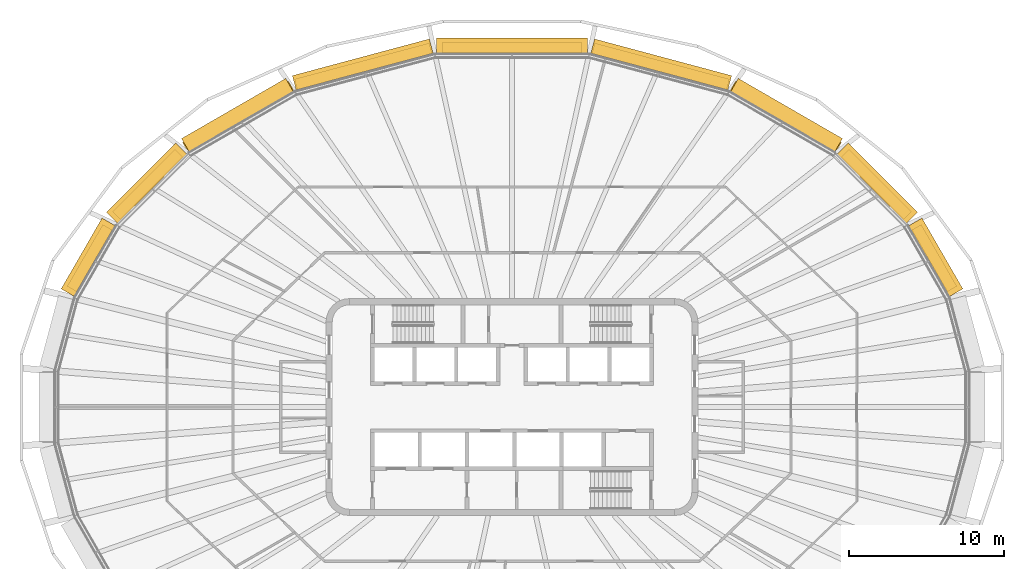
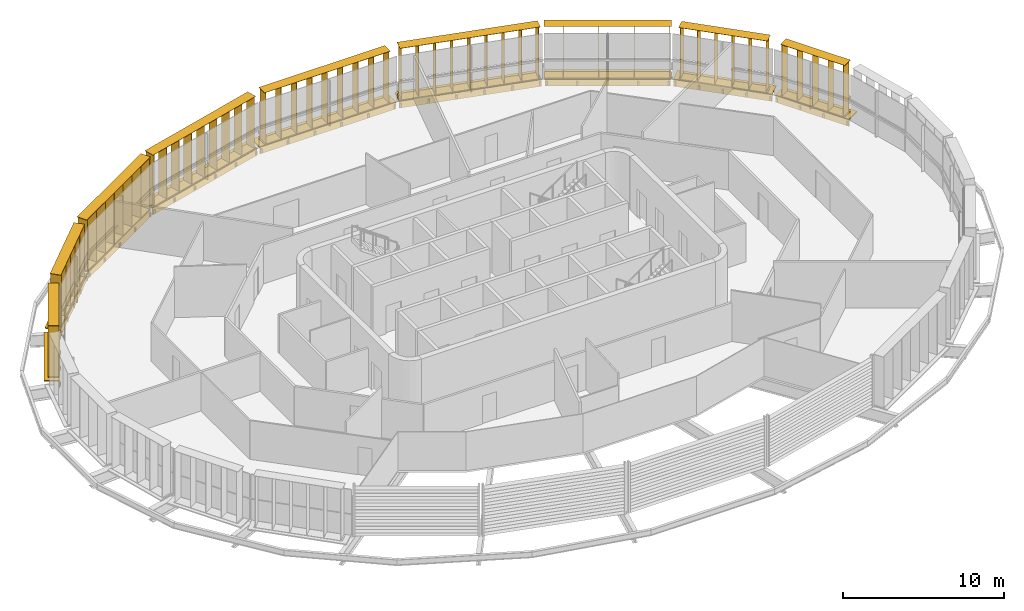
# One storey, part 19 of 19: 18 shading devices.
"""IFC4 building model written with IfcOpenShell, lengths in metres."""

from ifc_helpers import new_model, si_unit, direction, frame, origin, origin_2d, place, context, subcontext, project, spatial, rectangle, extrude, material, type_object, element, save


model = new_model("IFC4")

# Units and contexts
model_context = context("Model", 3, precision=1e-05, world=origin(), true_north=direction((0.0, 1.0)))
body_context = subcontext(model_context, "Body", "Model", "MODEL_VIEW")
ifc_project = project(units=[si_unit("LENGTHUNIT", "METRE"), si_unit("AREAUNIT", "SQUARE_METRE"), si_unit("VOLUMEUNIT", "CUBIC_METRE"), si_unit("PLANEANGLEUNIT", "RADIAN"), si_unit("MASSUNIT", "GRAM", prefix="KILO")], contexts=[model_context])

# Site, building, storey
site_placement = place(None, origin())
site = spatial("IfcSite", under=ifc_project, at=site_placement, CompositionType="ELEMENT")
building_placement = place(site_placement, origin())
building = spatial("IfcBuilding", under=site, at=building_placement, Name="Sahrelin Media Tower", CompositionType="ELEMENT")
storey_placement = place(building_placement, frame((0.0, 0.0, 275.0)))
storey = spatial("IfcBuildingStorey", under=building, at=storey_placement, Name="L60", CompositionType="ELEMENT", Elevation=275.0)

# Shading devices
ifc_material = material(Name="Champagne anodised aluminium 6063-T6", Category="aluminium")
shading_device_type_1 = type_object("IfcShadingDeviceType", Name="Fin cassette", PredefinedType="USERDEFINED", material=ifc_material)
placement_1 = place(storey_placement, frame((26.886962890625, 9.400146484375, 0.0), z_axis=(0.0, 0.0, 1.0), x_axis=(0.500011000363, -0.866019052629, 0.0)))
element("IfcShadingDevice", 1, at=placement_1, inside=storey, type_object=shading_device_type_1, Name="L60:FIN:L60-02", ObjectType="FIN", PredefinedType="USERDEFINED", context=body_context, shape_type="SweptSolid", body=[
    extrude(rectangle(XDim=4.60009765625, YDim=0.699951171875, at=origin_2d()), frame((0.0, 0.419921875, 0.0)), (0.0, 0.0, 1.0), 0.02001953125),
    extrude(rectangle(XDim=4.60009765625, YDim=0.699951171875, at=origin_2d()), frame((0.0, 0.419921875, 3.89990234375)), (0.0, 0.0, 1.0), 0.02001953125),
    extrude(rectangle(XDim=0.02001953125, YDim=0.699951171875, at=origin_2d()), frame((-2.199951171875, 0.419921875, 0.010009765625), z_axis=(0.0, 0.0, 1.0), x_axis=(1.0, 0.0, 0.0)), (0.0, 0.0, 1.0), 3.89990234375),
    extrude(rectangle(XDim=0.02001953125, YDim=0.699951171875, at=origin_2d()), frame((-1.10009765625, 0.419921875, 0.010009765625), z_axis=(0.0, 0.0, 1.0), x_axis=(1.0, 0.0, 0.0)), (0.0, 0.0, 1.0), 3.89990234375),
    extrude(rectangle(XDim=0.02001953125, YDim=0.699951171875, at=origin_2d()), frame((0.0, 0.419921875, 0.010009765625), z_axis=(0.0, 0.0, 1.0), x_axis=(1.0, 0.0, 0.0)), (0.0, 0.0, 1.0), 3.89990234375),
    extrude(rectangle(XDim=0.02001953125, YDim=0.699951171875, at=origin_2d()), frame((1.10009765625, 0.419921875, 0.010009765625), z_axis=(0.0, 0.0, 1.0), x_axis=(1.0, 0.0, 0.0)), (0.0, 0.0, 1.0), 3.89990234375),
    extrude(rectangle(XDim=0.02001953125, YDim=0.699951171875, at=origin_2d()), frame((2.199951171875, 0.419921875, 0.010009765625), z_axis=(0.0, 0.0, 1.0), x_axis=(1.0, 0.0, 0.0)), (0.0, 0.0, 1.0), 3.89990234375),
])
placement_2 = place(storey_placement, frame((23.20849609375, 14.080322265625, 0.0), z_axis=(0.0, 0.0, 1.0), x_axis=(0.707106781187, -0.707106781187, 0.0)))
element("IfcShadingDevice", 2, at=placement_2, inside=storey, type_object=shading_device_type_1, Name="L60:FIN:L60-03", ObjectType="FIN", PredefinedType="USERDEFINED", context=body_context, shape_type="SweptSolid", body=[
    extrude(rectangle(XDim=5.699951171875, YDim=0.699951171875, at=origin_2d()), frame((0.0, 0.419921875, 0.0)), (0.0, 0.0, 1.0), 0.02001953125),
    extrude(rectangle(XDim=5.699951171875, YDim=0.699951171875, at=origin_2d()), frame((0.0, 0.419921875, 3.89990234375)), (0.0, 0.0, 1.0), 0.02001953125),
    extrude(rectangle(XDim=0.02001953125, YDim=0.699951171875, at=origin_2d()), frame((-2.75, 0.419921875, 0.010009765625), z_axis=(0.0, 0.0, 1.0), x_axis=(1.0, 0.0, 0.0)), (0.0, 0.0, 1.0), 3.89990234375),
    extrude(rectangle(XDim=0.02001953125, YDim=0.699951171875, at=origin_2d()), frame((-1.64990234375, 0.419921875, 0.010009765625), z_axis=(0.0, 0.0, 1.0), x_axis=(1.0, 0.0, 0.0)), (0.0, 0.0, 1.0), 3.89990234375),
    extrude(rectangle(XDim=0.02001953125, YDim=0.699951171875, at=origin_2d()), frame((-0.550048828125, 0.419921875, 0.010009765625), z_axis=(0.0, 0.0, 1.0), x_axis=(1.0, 0.0, 0.0)), (0.0, 0.0, 1.0), 3.89990234375),
    extrude(rectangle(XDim=0.02001953125, YDim=0.699951171875, at=origin_2d()), frame((0.550048828125, 0.419921875, 0.010009765625), z_axis=(0.0, 0.0, 1.0), x_axis=(1.0, 0.0, 0.0)), (0.0, 0.0, 1.0), 3.89990234375),
    extrude(rectangle(XDim=0.02001953125, YDim=0.699951171875, at=origin_2d()), frame((1.64990234375, 0.419921875, 0.010009765625), z_axis=(0.0, 0.0, 1.0), x_axis=(1.0, 0.0, 0.0)), (0.0, 0.0, 1.0), 3.89990234375),
    extrude(rectangle(XDim=0.02001953125, YDim=0.699951171875, at=origin_2d()), frame((2.75, 0.419921875, 0.010009765625), z_axis=(0.0, 0.0, 1.0), x_axis=(1.0, 0.0, 0.0)), (0.0, 0.0, 1.0), 3.89990234375),
])
placement_3 = place(storey_placement, frame((17.451416015625, 18.380615234375, 0.0), z_axis=(0.0, 0.0, 1.0), x_axis=(0.866019052629, -0.500011000363, 0.0)))
element("IfcShadingDevice", 3, at=placement_3, inside=storey, type_object=shading_device_type_1, Name="L60:FIN:L60-04", ObjectType="FIN", PredefinedType="USERDEFINED", context=body_context, shape_type="SweptSolid", body=[
    extrude(rectangle(XDim=7.89990234375, YDim=0.699951171875, at=origin_2d()), frame((0.0, 0.419921875, 0.0)), (0.0, 0.0, 1.0), 0.02001953125),
    extrude(rectangle(XDim=7.89990234375, YDim=0.699951171875, at=origin_2d()), frame((0.0, 0.419921875, 3.89990234375)), (0.0, 0.0, 1.0), 0.02001953125),
    extrude(rectangle(XDim=0.02001953125, YDim=0.699951171875, at=origin_2d()), frame((-3.85009765625, 0.419921875, 0.010009765625), z_axis=(0.0, 0.0, 1.0), x_axis=(1.0, 0.0, 0.0)), (0.0, 0.0, 1.0), 3.89990234375),
    extrude(rectangle(XDim=0.02001953125, YDim=0.699951171875, at=origin_2d()), frame((-2.75, 0.419921875, 0.010009765625), z_axis=(0.0, 0.0, 1.0), x_axis=(1.0, 0.0, 0.0)), (0.0, 0.0, 1.0), 3.89990234375),
    extrude(rectangle(XDim=0.02001953125, YDim=0.699951171875, at=origin_2d()), frame((-1.64990234375, 0.419921875, 0.010009765625), z_axis=(0.0, 0.0, 1.0), x_axis=(1.0, 0.0, 0.0)), (0.0, 0.0, 1.0), 3.89990234375),
    extrude(rectangle(XDim=0.02001953125, YDim=0.699951171875, at=origin_2d()), frame((-0.550048828125, 0.419921875, 0.010009765625), z_axis=(0.0, 0.0, 1.0), x_axis=(1.0, 0.0, 0.0)), (0.0, 0.0, 1.0), 3.89990234375),
    extrude(rectangle(XDim=0.02001953125, YDim=0.699951171875, at=origin_2d()), frame((0.550048828125, 0.419921875, 0.010009765625), z_axis=(0.0, 0.0, 1.0), x_axis=(1.0, 0.0, 0.0)), (0.0, 0.0, 1.0), 3.89990234375),
    extrude(rectangle(XDim=0.02001953125, YDim=0.699951171875, at=origin_2d()), frame((1.64990234375, 0.419921875, 0.010009765625), z_axis=(0.0, 0.0, 1.0), x_axis=(1.0, 0.0, 0.0)), (0.0, 0.0, 1.0), 3.89990234375),
    extrude(rectangle(XDim=0.02001953125, YDim=0.699951171875, at=origin_2d()), frame((2.75, 0.419921875, 0.010009765625), z_axis=(0.0, 0.0, 1.0), x_axis=(1.0, 0.0, 0.0)), (0.0, 0.0, 1.0), 3.89990234375),
    extrude(rectangle(XDim=0.02001953125, YDim=0.699951171875, at=origin_2d()), frame((3.85009765625, 0.419921875, 0.010009765625), z_axis=(0.0, 0.0, 1.0), x_axis=(1.0, 0.0, 0.0)), (0.0, 0.0, 1.0), 3.89990234375),
])
placement_4 = place(storey_placement, frame((9.489501953125, 21.58056640625, 0.0), z_axis=(0.0, 0.0, 1.0), x_axis=(0.965928857556, -0.258807731996, 0.0)))
element("IfcShadingDevice", 4, at=placement_4, inside=storey, type_object=shading_device_type_1, Name="L60:FIN:L60-05", ObjectType="FIN", PredefinedType="USERDEFINED", context=body_context, shape_type="SweptSolid", body=[
    extrude(rectangle(XDim=9.0, YDim=0.699951171875, at=origin_2d()), frame((0.0, 0.419921875, 0.0)), (0.0, 0.0, 1.0), 0.02001953125),
    extrude(rectangle(XDim=9.0, YDim=0.699951171875, at=origin_2d()), frame((0.0, 0.419921875, 3.89990234375)), (0.0, 0.0, 1.0), 0.02001953125),
    extrude(rectangle(XDim=0.02001953125, YDim=0.699951171875, at=origin_2d()), frame((-4.39990234375, 0.419921875, 0.010009765625), z_axis=(0.0, 0.0, 1.0), x_axis=(1.0, 0.0, 0.0)), (0.0, 0.0, 1.0), 3.89990234375),
    extrude(rectangle(XDim=0.02001953125, YDim=0.699951171875, at=origin_2d()), frame((-3.300048828125, 0.419921875, 0.010009765625), z_axis=(0.0, 0.0, 1.0), x_axis=(1.0, 0.0, 0.0)), (0.0, 0.0, 1.0), 3.89990234375),
    extrude(rectangle(XDim=0.02001953125, YDim=0.699951171875, at=origin_2d()), frame((-2.199951171875, 0.419921875, 0.010009765625), z_axis=(0.0, 0.0, 1.0), x_axis=(1.0, 0.0, 0.0)), (0.0, 0.0, 1.0), 3.89990234375),
    extrude(rectangle(XDim=0.02001953125, YDim=0.699951171875, at=origin_2d()), frame((-1.10009765625, 0.419921875, 0.010009765625), z_axis=(0.0, 0.0, 1.0), x_axis=(1.0, 0.0, 0.0)), (0.0, 0.0, 1.0), 3.89990234375),
    extrude(rectangle(XDim=0.02001953125, YDim=0.699951171875, at=origin_2d()), frame((0.0, 0.419921875, 0.010009765625), z_axis=(0.0, 0.0, 1.0), x_axis=(1.0, 0.0, 0.0)), (0.0, 0.0, 1.0), 3.89990234375),
    extrude(rectangle(XDim=0.02001953125, YDim=0.699951171875, at=origin_2d()), frame((1.10009765625, 0.419921875, 0.010009765625), z_axis=(0.0, 0.0, 1.0), x_axis=(1.0, 0.0, 0.0)), (0.0, 0.0, 1.0), 3.89990234375),
    extrude(rectangle(XDim=0.02001953125, YDim=0.699951171875, at=origin_2d()), frame((2.199951171875, 0.419921875, 0.010009765625), z_axis=(0.0, 0.0, 1.0), x_axis=(1.0, 0.0, 0.0)), (0.0, 0.0, 1.0), 3.89990234375),
    extrude(rectangle(XDim=0.02001953125, YDim=0.699951171875, at=origin_2d()), frame((3.300048828125, 0.419921875, 0.010009765625), z_axis=(0.0, 0.0, 1.0), x_axis=(1.0, 0.0, 0.0)), (0.0, 0.0, 1.0), 3.89990234375),
    extrude(rectangle(XDim=0.02001953125, YDim=0.699951171875, at=origin_2d()), frame((4.39990234375, 0.419921875, 0.010009765625), z_axis=(0.0, 0.0, 1.0), x_axis=(1.0, 0.0, 0.0)), (0.0, 0.0, 1.0), 3.89990234375),
])
placement_5 = place(storey_placement, frame((0.0, 22.790283203125, 0.0), z_axis=(0.0, 0.0, 1.0), x_axis=(1.0, 0.0, 0.0)))
element("IfcShadingDevice", 5, at=placement_5, inside=storey, type_object=shading_device_type_1, Name="L60:FIN:L60-06", ObjectType="FIN", PredefinedType="USERDEFINED", context=body_context, shape_type="SweptSolid", body=[
    extrude(rectangle(XDim=9.0, YDim=0.699951171875, at=origin_2d()), frame((0.0, 0.419921875, 0.0)), (0.0, 0.0, 1.0), 0.02001953125),
    extrude(rectangle(XDim=9.0, YDim=0.699951171875, at=origin_2d()), frame((0.0, 0.419921875, 3.89990234375)), (0.0, 0.0, 1.0), 0.02001953125),
    extrude(rectangle(XDim=0.02001953125, YDim=0.699951171875, at=origin_2d()), frame((-4.39990234375, 0.419921875, 0.010009765625), z_axis=(0.0, 0.0, 1.0), x_axis=(1.0, 0.0, 0.0)), (0.0, 0.0, 1.0), 3.89990234375),
    extrude(rectangle(XDim=0.02001953125, YDim=0.699951171875, at=origin_2d()), frame((-3.300048828125, 0.419921875, 0.010009765625), z_axis=(0.0, 0.0, 1.0), x_axis=(1.0, 0.0, 0.0)), (0.0, 0.0, 1.0), 3.89990234375),
    extrude(rectangle(XDim=0.02001953125, YDim=0.699951171875, at=origin_2d()), frame((-2.199951171875, 0.419921875, 0.010009765625), z_axis=(0.0, 0.0, 1.0), x_axis=(1.0, 0.0, 0.0)), (0.0, 0.0, 1.0), 3.89990234375),
    extrude(rectangle(XDim=0.02001953125, YDim=0.699951171875, at=origin_2d()), frame((-1.10009765625, 0.419921875, 0.010009765625), z_axis=(0.0, 0.0, 1.0), x_axis=(1.0, 0.0, 0.0)), (0.0, 0.0, 1.0), 3.89990234375),
    extrude(rectangle(XDim=0.02001953125, YDim=0.699951171875, at=origin_2d()), frame((0.0, 0.419921875, 0.010009765625), z_axis=(0.0, 0.0, 1.0), x_axis=(1.0, 0.0, 0.0)), (0.0, 0.0, 1.0), 3.89990234375),
    extrude(rectangle(XDim=0.02001953125, YDim=0.699951171875, at=origin_2d()), frame((1.10009765625, 0.419921875, 0.010009765625), z_axis=(0.0, 0.0, 1.0), x_axis=(1.0, 0.0, 0.0)), (0.0, 0.0, 1.0), 3.89990234375),
    extrude(rectangle(XDim=0.02001953125, YDim=0.699951171875, at=origin_2d()), frame((2.199951171875, 0.419921875, 0.010009765625), z_axis=(0.0, 0.0, 1.0), x_axis=(1.0, 0.0, 0.0)), (0.0, 0.0, 1.0), 3.89990234375),
    extrude(rectangle(XDim=0.02001953125, YDim=0.699951171875, at=origin_2d()), frame((3.300048828125, 0.419921875, 0.010009765625), z_axis=(0.0, 0.0, 1.0), x_axis=(1.0, 0.0, 0.0)), (0.0, 0.0, 1.0), 3.89990234375),
    extrude(rectangle(XDim=0.02001953125, YDim=0.699951171875, at=origin_2d()), frame((4.39990234375, 0.419921875, 0.010009765625), z_axis=(0.0, 0.0, 1.0), x_axis=(1.0, 0.0, 0.0)), (0.0, 0.0, 1.0), 3.89990234375),
])
placement_6 = place(storey_placement, frame((-9.489501953125, 21.58056640625, 0.0), z_axis=(0.0, 0.0, 1.0), x_axis=(0.965928857556, 0.258807731996, 0.0)))
element("IfcShadingDevice", 6, at=placement_6, inside=storey, type_object=shading_device_type_1, Name="L60:FIN:L60-07", ObjectType="FIN", PredefinedType="USERDEFINED", context=body_context, shape_type="SweptSolid", body=[
    extrude(rectangle(XDim=9.0, YDim=0.699951171875, at=origin_2d()), frame((0.0, 0.419921875, 0.0)), (0.0, 0.0, 1.0), 0.02001953125),
    extrude(rectangle(XDim=9.0, YDim=0.699951171875, at=origin_2d()), frame((0.0, 0.419921875, 3.89990234375)), (0.0, 0.0, 1.0), 0.02001953125),
    extrude(rectangle(XDim=0.02001953125, YDim=0.699951171875, at=origin_2d()), frame((-4.39990234375, 0.419921875, 0.010009765625), z_axis=(0.0, 0.0, 1.0), x_axis=(1.0, 0.0, 0.0)), (0.0, 0.0, 1.0), 3.89990234375),
    extrude(rectangle(XDim=0.02001953125, YDim=0.699951171875, at=origin_2d()), frame((-3.300048828125, 0.419921875, 0.010009765625), z_axis=(0.0, 0.0, 1.0), x_axis=(1.0, 0.0, 0.0)), (0.0, 0.0, 1.0), 3.89990234375),
    extrude(rectangle(XDim=0.02001953125, YDim=0.699951171875, at=origin_2d()), frame((-2.199951171875, 0.419921875, 0.010009765625), z_axis=(0.0, 0.0, 1.0), x_axis=(1.0, 0.0, 0.0)), (0.0, 0.0, 1.0), 3.89990234375),
    extrude(rectangle(XDim=0.02001953125, YDim=0.699951171875, at=origin_2d()), frame((-1.10009765625, 0.419921875, 0.010009765625), z_axis=(0.0, 0.0, 1.0), x_axis=(1.0, 0.0, 0.0)), (0.0, 0.0, 1.0), 3.89990234375),
    extrude(rectangle(XDim=0.02001953125, YDim=0.699951171875, at=origin_2d()), frame((0.0, 0.419921875, 0.010009765625), z_axis=(0.0, 0.0, 1.0), x_axis=(1.0, 0.0, 0.0)), (0.0, 0.0, 1.0), 3.89990234375),
    extrude(rectangle(XDim=0.02001953125, YDim=0.699951171875, at=origin_2d()), frame((1.10009765625, 0.419921875, 0.010009765625), z_axis=(0.0, 0.0, 1.0), x_axis=(1.0, 0.0, 0.0)), (0.0, 0.0, 1.0), 3.89990234375),
    extrude(rectangle(XDim=0.02001953125, YDim=0.699951171875, at=origin_2d()), frame((2.199951171875, 0.419921875, 0.010009765625), z_axis=(0.0, 0.0, 1.0), x_axis=(1.0, 0.0, 0.0)), (0.0, 0.0, 1.0), 3.89990234375),
    extrude(rectangle(XDim=0.02001953125, YDim=0.699951171875, at=origin_2d()), frame((3.300048828125, 0.419921875, 0.010009765625), z_axis=(0.0, 0.0, 1.0), x_axis=(1.0, 0.0, 0.0)), (0.0, 0.0, 1.0), 3.89990234375),
    extrude(rectangle(XDim=0.02001953125, YDim=0.699951171875, at=origin_2d()), frame((4.39990234375, 0.419921875, 0.010009765625), z_axis=(0.0, 0.0, 1.0), x_axis=(1.0, 0.0, 0.0)), (0.0, 0.0, 1.0), 3.89990234375),
])
placement_7 = place(storey_placement, frame((-17.451416015625, 18.380615234375, 0.0), z_axis=(0.0, 0.0, 1.0), x_axis=(0.866019052629, 0.500011000363, 0.0)))
element("IfcShadingDevice", 7, at=placement_7, inside=storey, type_object=shading_device_type_1, Name="L60:FIN:L60-08", ObjectType="FIN", PredefinedType="USERDEFINED", context=body_context, shape_type="SweptSolid", body=[
    extrude(rectangle(XDim=7.89990234375, YDim=0.699951171875, at=origin_2d()), frame((0.0, 0.419921875, 0.0)), (0.0, 0.0, 1.0), 0.02001953125),
    extrude(rectangle(XDim=7.89990234375, YDim=0.699951171875, at=origin_2d()), frame((0.0, 0.419921875, 3.89990234375)), (0.0, 0.0, 1.0), 0.02001953125),
    extrude(rectangle(XDim=0.02001953125, YDim=0.699951171875, at=origin_2d()), frame((-3.85009765625, 0.419921875, 0.010009765625), z_axis=(0.0, 0.0, 1.0), x_axis=(1.0, 0.0, 0.0)), (0.0, 0.0, 1.0), 3.89990234375),
    extrude(rectangle(XDim=0.02001953125, YDim=0.699951171875, at=origin_2d()), frame((-2.75, 0.419921875, 0.010009765625), z_axis=(0.0, 0.0, 1.0), x_axis=(1.0, 0.0, 0.0)), (0.0, 0.0, 1.0), 3.89990234375),
    extrude(rectangle(XDim=0.02001953125, YDim=0.699951171875, at=origin_2d()), frame((-1.64990234375, 0.419921875, 0.010009765625), z_axis=(0.0, 0.0, 1.0), x_axis=(1.0, 0.0, 0.0)), (0.0, 0.0, 1.0), 3.89990234375),
    extrude(rectangle(XDim=0.02001953125, YDim=0.699951171875, at=origin_2d()), frame((-0.550048828125, 0.419921875, 0.010009765625), z_axis=(0.0, 0.0, 1.0), x_axis=(1.0, 0.0, 0.0)), (0.0, 0.0, 1.0), 3.89990234375),
    extrude(rectangle(XDim=0.02001953125, YDim=0.699951171875, at=origin_2d()), frame((0.550048828125, 0.419921875, 0.010009765625), z_axis=(0.0, 0.0, 1.0), x_axis=(1.0, 0.0, 0.0)), (0.0, 0.0, 1.0), 3.89990234375),
    extrude(rectangle(XDim=0.02001953125, YDim=0.699951171875, at=origin_2d()), frame((1.64990234375, 0.419921875, 0.010009765625), z_axis=(0.0, 0.0, 1.0), x_axis=(1.0, 0.0, 0.0)), (0.0, 0.0, 1.0), 3.89990234375),
    extrude(rectangle(XDim=0.02001953125, YDim=0.699951171875, at=origin_2d()), frame((2.75, 0.419921875, 0.010009765625), z_axis=(0.0, 0.0, 1.0), x_axis=(1.0, 0.0, 0.0)), (0.0, 0.0, 1.0), 3.89990234375),
    extrude(rectangle(XDim=0.02001953125, YDim=0.699951171875, at=origin_2d()), frame((3.85009765625, 0.419921875, 0.010009765625), z_axis=(0.0, 0.0, 1.0), x_axis=(1.0, 0.0, 0.0)), (0.0, 0.0, 1.0), 3.89990234375),
])
placement_8 = place(storey_placement, frame((-23.208740234375, 14.080322265625, 0.0), z_axis=(0.0, 0.0, 1.0), x_axis=(0.707106781187, 0.707106781187, 0.0)))
element("IfcShadingDevice", 8, at=placement_8, inside=storey, type_object=shading_device_type_1, Name="L60:FIN:L60-09", ObjectType="FIN", PredefinedType="USERDEFINED", context=body_context, shape_type="SweptSolid", body=[
    extrude(rectangle(XDim=5.699951171875, YDim=0.699951171875, at=origin_2d()), frame((0.0, 0.419921875, 0.0)), (0.0, 0.0, 1.0), 0.02001953125),
    extrude(rectangle(XDim=5.699951171875, YDim=0.699951171875, at=origin_2d()), frame((0.0, 0.419921875, 3.89990234375)), (0.0, 0.0, 1.0), 0.02001953125),
    extrude(rectangle(XDim=0.02001953125, YDim=0.699951171875, at=origin_2d()), frame((-2.75, 0.419921875, 0.010009765625), z_axis=(0.0, 0.0, 1.0), x_axis=(1.0, 0.0, 0.0)), (0.0, 0.0, 1.0), 3.89990234375),
    extrude(rectangle(XDim=0.02001953125, YDim=0.699951171875, at=origin_2d()), frame((-1.64990234375, 0.419921875, 0.010009765625), z_axis=(0.0, 0.0, 1.0), x_axis=(1.0, 0.0, 0.0)), (0.0, 0.0, 1.0), 3.89990234375),
    extrude(rectangle(XDim=0.02001953125, YDim=0.699951171875, at=origin_2d()), frame((-0.550048828125, 0.419921875, 0.010009765625), z_axis=(0.0, 0.0, 1.0), x_axis=(1.0, 0.0, 0.0)), (0.0, 0.0, 1.0), 3.89990234375),
    extrude(rectangle(XDim=0.02001953125, YDim=0.699951171875, at=origin_2d()), frame((0.550048828125, 0.419921875, 0.010009765625), z_axis=(0.0, 0.0, 1.0), x_axis=(1.0, 0.0, 0.0)), (0.0, 0.0, 1.0), 3.89990234375),
    extrude(rectangle(XDim=0.02001953125, YDim=0.699951171875, at=origin_2d()), frame((1.64990234375, 0.419921875, 0.010009765625), z_axis=(0.0, 0.0, 1.0), x_axis=(1.0, 0.0, 0.0)), (0.0, 0.0, 1.0), 3.89990234375),
    extrude(rectangle(XDim=0.02001953125, YDim=0.699951171875, at=origin_2d()), frame((2.75, 0.419921875, 0.010009765625), z_axis=(0.0, 0.0, 1.0), x_axis=(1.0, 0.0, 0.0)), (0.0, 0.0, 1.0), 3.89990234375),
])
placement_9 = place(storey_placement, frame((-26.886962890625, 9.400146484375, 0.0), z_axis=(0.0, 0.0, 1.0), x_axis=(0.500011000363, 0.866019052629, 0.0)))
element("IfcShadingDevice", 9, at=placement_9, inside=storey, type_object=shading_device_type_1, Name="L60:FIN:L60-10", ObjectType="FIN", PredefinedType="USERDEFINED", context=body_context, shape_type="SweptSolid", body=[
    extrude(rectangle(XDim=4.60009765625, YDim=0.699951171875, at=origin_2d()), frame((0.0, 0.419921875, 0.0)), (0.0, 0.0, 1.0), 0.02001953125),
    extrude(rectangle(XDim=4.60009765625, YDim=0.699951171875, at=origin_2d()), frame((0.0, 0.419921875, 3.89990234375)), (0.0, 0.0, 1.0), 0.02001953125),
    extrude(rectangle(XDim=0.02001953125, YDim=0.699951171875, at=origin_2d()), frame((-2.199951171875, 0.419921875, 0.010009765625), z_axis=(0.0, 0.0, 1.0), x_axis=(1.0, 0.0, 0.0)), (0.0, 0.0, 1.0), 3.89990234375),
    extrude(rectangle(XDim=0.02001953125, YDim=0.699951171875, at=origin_2d()), frame((-1.10009765625, 0.419921875, 0.010009765625), z_axis=(0.0, 0.0, 1.0), x_axis=(1.0, 0.0, 0.0)), (0.0, 0.0, 1.0), 3.89990234375),
    extrude(rectangle(XDim=0.02001953125, YDim=0.699951171875, at=origin_2d()), frame((0.0, 0.419921875, 0.010009765625), z_axis=(0.0, 0.0, 1.0), x_axis=(1.0, 0.0, 0.0)), (0.0, 0.0, 1.0), 3.89990234375),
    extrude(rectangle(XDim=0.02001953125, YDim=0.699951171875, at=origin_2d()), frame((1.10009765625, 0.419921875, 0.010009765625), z_axis=(0.0, 0.0, 1.0), x_axis=(1.0, 0.0, 0.0)), (0.0, 0.0, 1.0), 3.89990234375),
    extrude(rectangle(XDim=0.02001953125, YDim=0.699951171875, at=origin_2d()), frame((2.199951171875, 0.419921875, 0.010009765625), z_axis=(0.0, 0.0, 1.0), x_axis=(1.0, 0.0, 0.0)), (0.0, 0.0, 1.0), 3.89990234375),
])
shading_device_type_2 = type_object("IfcShadingDeviceType", Name="Sunshade band", PredefinedType="USERDEFINED", material=ifc_material)
element("IfcShadingDevice", 10, at=placement_1, inside=storey, type_object=shading_device_type_2, Name="L60:SUN:L60-02", ObjectType="SUNSHADE", PredefinedType="USERDEFINED", context=body_context, shape_type="SweptSolid", body=[
    extrude(rectangle(XDim=5.27392578125, YDim=0.050048828125, at=origin_2d()), frame((0.0, 0.044921875, -0.55126953125)), (0.0, 0.0, 1.0), 0.471435546875),
    extrude(rectangle(XDim=5.27392578125, YDim=1.0, at=origin_2d()), frame((0.0, 0.52001953125, -0.080078125)), (0.0, 0.0, 1.0), 0.080078125),
    extrude(rectangle(XDim=0.10009765625, YDim=0.074951171875, at=origin_2d()), frame((-2.537109375, -0.017578125, -0.47021484375)), (0.0, 0.0, 1.0), 0.300048828125),
    extrude(rectangle(XDim=0.10009765625, YDim=0.074951171875, at=origin_2d()), frame((-0.845703125, -0.017578125, -0.47021484375)), (0.0, 0.0, 1.0), 0.300048828125),
    extrude(rectangle(XDim=0.10009765625, YDim=0.074951171875, at=origin_2d()), frame((0.845703125, -0.017578125, -0.47021484375)), (0.0, 0.0, 1.0), 0.300048828125),
    extrude(rectangle(XDim=0.10009765625, YDim=0.074951171875, at=origin_2d()), frame((2.537109375, -0.017578125, -0.47021484375)), (0.0, 0.0, 1.0), 0.300048828125),
])
element("IfcShadingDevice", 11, at=placement_2, inside=storey, type_object=shading_device_type_2, Name="L60:SUN:L60-03", ObjectType="SUNSHADE", PredefinedType="USERDEFINED", context=body_context, shape_type="SweptSolid", body=[
    extrude(rectangle(XDim=6.333251953125, YDim=0.050048828125, at=origin_2d()), frame((0.0, 0.044921875, -0.55126953125)), (0.0, 0.0, 1.0), 0.471435546875),
    extrude(rectangle(XDim=6.333251953125, YDim=1.0, at=origin_2d()), frame((0.0, 0.52001953125, -0.080078125)), (0.0, 0.0, 1.0), 0.080078125),
    extrude(rectangle(XDim=0.10009765625, YDim=0.074951171875, at=origin_2d()), frame((-3.066650390625, -0.017578125, -0.47021484375)), (0.0, 0.0, 1.0), 0.300048828125),
    extrude(rectangle(XDim=0.10009765625, YDim=0.074951171875, at=origin_2d()), frame((-1.533203125, -0.017578125, -0.47021484375)), (0.0, 0.0, 1.0), 0.300048828125),
    extrude(rectangle(XDim=0.10009765625, YDim=0.074951171875, at=origin_2d()), frame((0.0, -0.017578125, -0.47021484375)), (0.0, 0.0, 1.0), 0.300048828125),
    extrude(rectangle(XDim=0.10009765625, YDim=0.074951171875, at=origin_2d()), frame((1.533203125, -0.017578125, -0.47021484375)), (0.0, 0.0, 1.0), 0.300048828125),
    extrude(rectangle(XDim=0.10009765625, YDim=0.074951171875, at=origin_2d()), frame((3.066650390625, -0.017578125, -0.47021484375)), (0.0, 0.0, 1.0), 0.300048828125),
])
element("IfcShadingDevice", 12, at=placement_3, inside=storey, type_object=shading_device_type_2, Name="L60:SUN:L60-04", ObjectType="SUNSHADE", PredefinedType="USERDEFINED", context=body_context, shape_type="SweptSolid", body=[
    extrude(rectangle(XDim=7.761474609375, YDim=0.050048828125, at=origin_2d()), frame((0.0, 0.044921875, -0.55126953125)), (0.0, 0.0, 1.0), 0.471435546875),
    extrude(rectangle(XDim=7.761474609375, YDim=1.0, at=origin_2d()), frame((0.0, 0.52001953125, -0.080078125)), (0.0, 0.0, 1.0), 0.080078125),
    extrude(rectangle(XDim=0.10009765625, YDim=0.074951171875, at=origin_2d()), frame((-3.78076171875, -0.017578125, -0.47021484375)), (0.0, 0.0, 1.0), 0.300048828125),
    extrude(rectangle(XDim=0.10009765625, YDim=0.074951171875, at=origin_2d()), frame((-1.890380859375, -0.017578125, -0.47021484375)), (0.0, 0.0, 1.0), 0.300048828125),
    extrude(rectangle(XDim=0.10009765625, YDim=0.074951171875, at=origin_2d()), frame((0.0, -0.017578125, -0.47021484375)), (0.0, 0.0, 1.0), 0.300048828125),
    extrude(rectangle(XDim=0.10009765625, YDim=0.074951171875, at=origin_2d()), frame((1.890380859375, -0.017578125, -0.47021484375)), (0.0, 0.0, 1.0), 0.300048828125),
    extrude(rectangle(XDim=0.10009765625, YDim=0.074951171875, at=origin_2d()), frame((3.78076171875, -0.017578125, -0.47021484375)), (0.0, 0.0, 1.0), 0.300048828125),
])
element("IfcShadingDevice", 13, at=placement_4, inside=storey, type_object=shading_device_type_2, Name="L60:SUN:L60-05", ObjectType="SUNSHADE", PredefinedType="USERDEFINED", context=body_context, shape_type="SweptSolid", body=[
    extrude(rectangle(XDim=9.147216796875, YDim=0.050048828125, at=origin_2d()), frame((0.0, 0.044921875, -0.55126953125)), (0.0, 0.0, 1.0), 0.471435546875),
    extrude(rectangle(XDim=9.147216796875, YDim=1.0, at=origin_2d()), frame((0.0, 0.52001953125, -0.080078125)), (0.0, 0.0, 1.0), 0.080078125),
    extrude(rectangle(XDim=0.10009765625, YDim=0.074951171875, at=origin_2d()), frame((-4.4736328125, -0.017578125, -0.47021484375)), (0.0, 0.0, 1.0), 0.300048828125),
    extrude(rectangle(XDim=0.10009765625, YDim=0.074951171875, at=origin_2d()), frame((-2.68408203125, -0.017578125, -0.47021484375)), (0.0, 0.0, 1.0), 0.300048828125),
    extrude(rectangle(XDim=0.10009765625, YDim=0.074951171875, at=origin_2d()), frame((-0.894775390625, -0.017578125, -0.47021484375)), (0.0, 0.0, 1.0), 0.300048828125),
    extrude(rectangle(XDim=0.10009765625, YDim=0.074951171875, at=origin_2d()), frame((0.894775390625, -0.017578125, -0.47021484375)), (0.0, 0.0, 1.0), 0.300048828125),
    extrude(rectangle(XDim=0.10009765625, YDim=0.074951171875, at=origin_2d()), frame((2.68408203125, -0.017578125, -0.47021484375)), (0.0, 0.0, 1.0), 0.300048828125),
    extrude(rectangle(XDim=0.10009765625, YDim=0.074951171875, at=origin_2d()), frame((4.4736328125, -0.017578125, -0.47021484375)), (0.0, 0.0, 1.0), 0.300048828125),
])
element("IfcShadingDevice", 14, at=placement_5, inside=storey, type_object=shading_device_type_2, Name="L60:SUN:L60-06", ObjectType="SUNSHADE", PredefinedType="USERDEFINED", context=body_context, shape_type="SweptSolid", body=[
    extrude(rectangle(XDim=9.75048828125, YDim=0.050048828125, at=origin_2d()), frame((0.0, 0.044921875, -0.55126953125)), (0.0, 0.0, 1.0), 0.471435546875),
    extrude(rectangle(XDim=9.75048828125, YDim=1.0, at=origin_2d()), frame((0.0, 0.52001953125, -0.080078125)), (0.0, 0.0, 1.0), 0.080078125),
    extrude(rectangle(XDim=0.10009765625, YDim=0.074951171875, at=origin_2d()), frame((-4.775146484375, -0.017578125, -0.47021484375)), (0.0, 0.0, 1.0), 0.300048828125),
    extrude(rectangle(XDim=0.10009765625, YDim=0.074951171875, at=origin_2d()), frame((-2.864990234375, -0.017578125, -0.47021484375)), (0.0, 0.0, 1.0), 0.300048828125),
    extrude(rectangle(XDim=0.10009765625, YDim=0.074951171875, at=origin_2d()), frame((-0.955078125, -0.017578125, -0.47021484375)), (0.0, 0.0, 1.0), 0.300048828125),
    extrude(rectangle(XDim=0.10009765625, YDim=0.074951171875, at=origin_2d()), frame((0.955078125, -0.017578125, -0.47021484375)), (0.0, 0.0, 1.0), 0.300048828125),
    extrude(rectangle(XDim=0.10009765625, YDim=0.074951171875, at=origin_2d()), frame((2.864990234375, -0.017578125, -0.47021484375)), (0.0, 0.0, 1.0), 0.300048828125),
    extrude(rectangle(XDim=0.10009765625, YDim=0.074951171875, at=origin_2d()), frame((4.775146484375, -0.017578125, -0.47021484375)), (0.0, 0.0, 1.0), 0.300048828125),
])
element("IfcShadingDevice", 15, at=placement_6, inside=storey, type_object=shading_device_type_2, Name="L60:SUN:L60-07", ObjectType="SUNSHADE", PredefinedType="USERDEFINED", context=body_context, shape_type="SweptSolid", body=[
    extrude(rectangle(XDim=9.147216796875, YDim=0.050048828125, at=origin_2d()), frame((0.0, 0.044921875, -0.55126953125)), (0.0, 0.0, 1.0), 0.471435546875),
    extrude(rectangle(XDim=9.147216796875, YDim=1.0, at=origin_2d()), frame((0.0, 0.52001953125, -0.080078125)), (0.0, 0.0, 1.0), 0.080078125),
    extrude(rectangle(XDim=0.10009765625, YDim=0.074951171875, at=origin_2d()), frame((-4.4736328125, -0.017578125, -0.47021484375)), (0.0, 0.0, 1.0), 0.300048828125),
    extrude(rectangle(XDim=0.10009765625, YDim=0.074951171875, at=origin_2d()), frame((-2.68408203125, -0.017578125, -0.47021484375)), (0.0, 0.0, 1.0), 0.300048828125),
    extrude(rectangle(XDim=0.10009765625, YDim=0.074951171875, at=origin_2d()), frame((-0.894775390625, -0.017578125, -0.47021484375)), (0.0, 0.0, 1.0), 0.300048828125),
    extrude(rectangle(XDim=0.10009765625, YDim=0.074951171875, at=origin_2d()), frame((0.894775390625, -0.017578125, -0.47021484375)), (0.0, 0.0, 1.0), 0.300048828125),
    extrude(rectangle(XDim=0.10009765625, YDim=0.074951171875, at=origin_2d()), frame((2.68408203125, -0.017578125, -0.47021484375)), (0.0, 0.0, 1.0), 0.300048828125),
    extrude(rectangle(XDim=0.10009765625, YDim=0.074951171875, at=origin_2d()), frame((4.4736328125, -0.017578125, -0.47021484375)), (0.0, 0.0, 1.0), 0.300048828125),
])
element("IfcShadingDevice", 16, at=placement_7, inside=storey, type_object=shading_device_type_2, Name="L60:SUN:L60-08", ObjectType="SUNSHADE", PredefinedType="USERDEFINED", context=body_context, shape_type="SweptSolid", body=[
    extrude(rectangle(XDim=7.761474609375, YDim=0.050048828125, at=origin_2d()), frame((0.0, 0.044921875, -0.55126953125)), (0.0, 0.0, 1.0), 0.471435546875),
    extrude(rectangle(XDim=7.761474609375, YDim=1.0, at=origin_2d()), frame((0.0, 0.52001953125, -0.080078125)), (0.0, 0.0, 1.0), 0.080078125),
    extrude(rectangle(XDim=0.10009765625, YDim=0.074951171875, at=origin_2d()), frame((-3.78076171875, -0.017578125, -0.47021484375)), (0.0, 0.0, 1.0), 0.300048828125),
    extrude(rectangle(XDim=0.10009765625, YDim=0.074951171875, at=origin_2d()), frame((-1.890380859375, -0.017578125, -0.47021484375)), (0.0, 0.0, 1.0), 0.300048828125),
    extrude(rectangle(XDim=0.10009765625, YDim=0.074951171875, at=origin_2d()), frame((0.0, -0.017578125, -0.47021484375)), (0.0, 0.0, 1.0), 0.300048828125),
    extrude(rectangle(XDim=0.10009765625, YDim=0.074951171875, at=origin_2d()), frame((1.890380859375, -0.017578125, -0.47021484375)), (0.0, 0.0, 1.0), 0.300048828125),
    extrude(rectangle(XDim=0.10009765625, YDim=0.074951171875, at=origin_2d()), frame((3.78076171875, -0.017578125, -0.47021484375)), (0.0, 0.0, 1.0), 0.300048828125),
])
element("IfcShadingDevice", 17, at=placement_8, inside=storey, type_object=shading_device_type_2, Name="L60:SUN:L60-09", ObjectType="SUNSHADE", PredefinedType="USERDEFINED", context=body_context, shape_type="SweptSolid", body=[
    extrude(rectangle(XDim=6.333251953125, YDim=0.050048828125, at=origin_2d()), frame((0.0, 0.044921875, -0.55126953125)), (0.0, 0.0, 1.0), 0.471435546875),
    extrude(rectangle(XDim=6.333251953125, YDim=1.0, at=origin_2d()), frame((0.0, 0.52001953125, -0.080078125)), (0.0, 0.0, 1.0), 0.080078125),
    extrude(rectangle(XDim=0.10009765625, YDim=0.074951171875, at=origin_2d()), frame((-3.066650390625, -0.017578125, -0.47021484375)), (0.0, 0.0, 1.0), 0.300048828125),
    extrude(rectangle(XDim=0.10009765625, YDim=0.074951171875, at=origin_2d()), frame((-1.533203125, -0.017578125, -0.47021484375)), (0.0, 0.0, 1.0), 0.300048828125),
    extrude(rectangle(XDim=0.10009765625, YDim=0.074951171875, at=origin_2d()), frame((0.0, -0.017578125, -0.47021484375)), (0.0, 0.0, 1.0), 0.300048828125),
    extrude(rectangle(XDim=0.10009765625, YDim=0.074951171875, at=origin_2d()), frame((1.533203125, -0.017578125, -0.47021484375)), (0.0, 0.0, 1.0), 0.300048828125),
    extrude(rectangle(XDim=0.10009765625, YDim=0.074951171875, at=origin_2d()), frame((3.066650390625, -0.017578125, -0.47021484375)), (0.0, 0.0, 1.0), 0.300048828125),
])
element("IfcShadingDevice", 18, at=placement_9, inside=storey, type_object=shading_device_type_2, Name="L60:SUN:L60-10", ObjectType="SUNSHADE", PredefinedType="USERDEFINED", context=body_context, shape_type="SweptSolid", body=[
    extrude(rectangle(XDim=5.27392578125, YDim=0.050048828125, at=origin_2d()), frame((0.0, 0.044921875, -0.55126953125)), (0.0, 0.0, 1.0), 0.471435546875),
    extrude(rectangle(XDim=5.27392578125, YDim=1.0, at=origin_2d()), frame((0.0, 0.52001953125, -0.080078125)), (0.0, 0.0, 1.0), 0.080078125),
    extrude(rectangle(XDim=0.10009765625, YDim=0.074951171875, at=origin_2d()), frame((-2.537109375, -0.017578125, -0.47021484375)), (0.0, 0.0, 1.0), 0.300048828125),
    extrude(rectangle(XDim=0.10009765625, YDim=0.074951171875, at=origin_2d()), frame((-0.845703125, -0.017578125, -0.47021484375)), (0.0, 0.0, 1.0), 0.300048828125),
    extrude(rectangle(XDim=0.10009765625, YDim=0.074951171875, at=origin_2d()), frame((0.845703125, -0.017578125, -0.47021484375)), (0.0, 0.0, 1.0), 0.300048828125),
    extrude(rectangle(XDim=0.10009765625, YDim=0.074951171875, at=origin_2d()), frame((2.537109375, -0.017578125, -0.47021484375)), (0.0, 0.0, 1.0), 0.300048828125),
])

save(model, "model.ifc")
